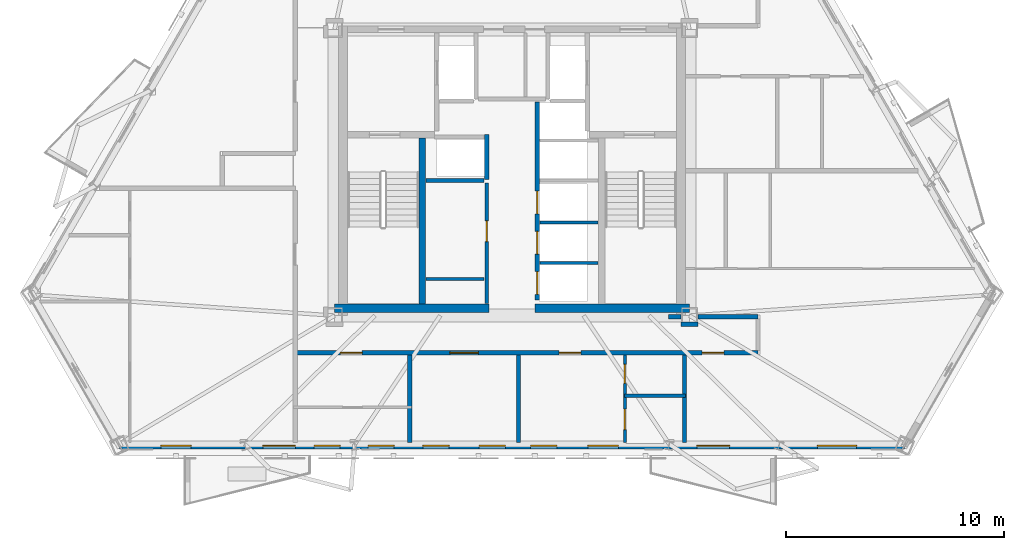
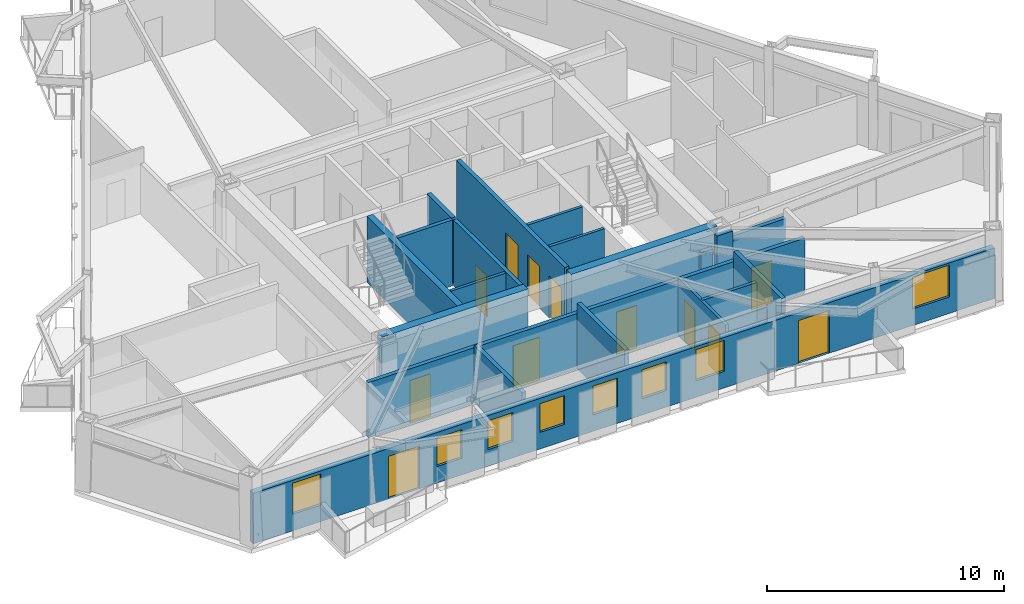
# One storey, part 4 of 10: 20 walls, 12 doors, 8 windows, 20 openings.
"""IFC4 building model written with IfcOpenShell, lengths in metres."""

from ifc_helpers import new_model, si_unit, direction, frame, frame_2d, origin, place, context, subcontext, project, spatial, rectangle, extrude, material, layer, layer_set, type_object, element, fill, save


model = new_model("IFC4")

# Units and contexts
model_context = context("Model", 3, precision=1e-05, world=origin(), true_north=direction((0.0, 1.0)))
body_context = subcontext(model_context, "Body", "Model", "MODEL_VIEW")
ifc_project = project(units=[si_unit("LENGTHUNIT", "METRE"), si_unit("AREAUNIT", "SQUARE_METRE"), si_unit("VOLUMEUNIT", "CUBIC_METRE"), si_unit("PLANEANGLEUNIT", "RADIAN"), si_unit("MASSUNIT", "GRAM", prefix="KILO")], contexts=[model_context])

# Site, building, storey
site_placement = place(None, origin())
site = spatial("IfcSite", under=ifc_project, at=site_placement, CompositionType="ELEMENT")
building_placement = place(site_placement, origin())
building = spatial("IfcBuilding", under=site, at=building_placement, Name="Oramaril Tower", CompositionType="ELEMENT")
storey_placement = place(building_placement, frame((0.0, 0.0, 181.800048828125)))
storey = spatial("IfcBuildingStorey", under=building, at=storey_placement, Name="L48", CompositionType="ELEMENT", Elevation=181.800048828125)

# Wall, openings, doors, windows
ifc_material_1 = material(Name="Warm Cream Limestone", Category="masonry")
ifc_layer_1 = layer(ifc_material_1, 0.2900390625)
ifc_layer_set_1 = layer_set([ifc_layer_1], Name="WT-EXT29")
wall_type_1 = type_object("IfcWallType", Name="WT-EXT29", PredefinedType="SOLIDWALL", material=ifc_layer_set_1)
wall_1_placement = place(storey_placement, frame((19.47314453125, 5.02880859375, 0.0), z_axis=(0.0, 0.0, 1.0), x_axis=(1.0, 0.0, 0.0)))
wall_1 = element("IfcWall", 1, at=wall_1_placement, inside=storey, type_object=wall_type_1, Name="L48 Tower Limestone Facade Wall 2M", PredefinedType="SOLIDWALL", context=body_context, shape_type="SweptSolid", body=[
    extrude(rectangle(XDim=36.0537109375, YDim=0.2900390625, at=frame_2d((18.02685546875, 0.0))), origin(), (0.0, 0.0, 1.0), 2.599853515625),
])
opening_1_placement = place(wall_1_placement, frame((6.579345703125, 0.0, 0.0)))
opening_1 = element("IfcOpeningElement", 2, at=opening_1_placement, cuts=wall_1, Name="Opening D-L48-BAL-S1", PredefinedType="OPENING", context=body_context, shape_type="SweptSolid", body=[
    extrude(rectangle(XDim=1.5, YDim=2.199951171875, at=frame_2d((0.75, 1.10009765625))), frame((0.0, 0.14501953125, 0.0), z_axis=(0.0, -1.0, 0.0), x_axis=(1.0, 0.0, 0.0)), (0.0, 0.0, 1.0), 0.2900390625),
])
opening_2_placement = place(wall_1_placement, frame((26.519287109375, 0.0, 0.0)))
opening_2 = element("IfcOpeningElement", 3, at=opening_2_placement, cuts=wall_1, Name="Opening D-L48-BAL-S2", PredefinedType="OPENING", context=body_context, shape_type="SweptSolid", body=[
    extrude(rectangle(XDim=1.5, YDim=2.199951171875, at=frame_2d((0.75, 1.10009765625))), frame((0.0, 0.14501953125, 0.0), z_axis=(0.0, -1.0, 0.0), x_axis=(1.0, 0.0, 0.0)), (0.0, 0.0, 1.0), 0.2900390625),
])
opening_3_placement = place(wall_1_placement, frame((13.936279296875, 0.0, 0.85009765625)))
opening_3 = element("IfcOpeningElement", 4, at=opening_3_placement, cuts=wall_1, Name="Opening WN-09", PredefinedType="OPENING", context=body_context, shape_type="SweptSolid", body=[
    extrude(rectangle(XDim=1.199951171875, YDim=1.47998046875, at=frame_2d((0.60009765625, 0.739990234375))), frame((0.0, 0.14501953125, 0.0), z_axis=(0.0, -1.0, 0.0), x_axis=(1.0, 0.0, 0.0)), (0.0, 0.0, 1.0), 0.2900390625),
])
opening_4_placement = place(wall_1_placement, frame((16.51708984375, 0.0, 0.85009765625)))
opening_4 = element("IfcOpeningElement", 5, at=opening_4_placement, cuts=wall_1, Name="Opening WN-09", PredefinedType="OPENING", context=body_context, shape_type="SweptSolid", body=[
    extrude(rectangle(XDim=1.199951171875, YDim=1.47998046875, at=frame_2d((0.60009765625, 0.739990234375))), frame((0.0, 0.14501953125, 0.0), z_axis=(0.0, -1.0, 0.0), x_axis=(1.0, 0.0, 0.0)), (0.0, 0.0, 1.0), 0.2900390625),
])
opening_5_placement = place(wall_1_placement, frame((8.937744140625, 0.0, 0.85009765625)))
opening_5 = element("IfcOpeningElement", 6, at=opening_5_placement, cuts=wall_1, Name="Opening WN-09", PredefinedType="OPENING", context=body_context, shape_type="SweptSolid", body=[
    extrude(rectangle(XDim=1.199951171875, YDim=1.47998046875, at=frame_2d((0.60009765625, 0.739990234375))), frame((0.0, 0.14501953125, 0.0), z_axis=(0.0, -1.0, 0.0), x_axis=(1.0, 0.0, 0.0)), (0.0, 0.0, 1.0), 0.2900390625),
])
opening_6_placement = place(wall_1_placement, frame((11.417236328125, 0.0, 0.85009765625)))
opening_6 = element("IfcOpeningElement", 7, at=opening_6_placement, cuts=wall_1, Name="Opening WN-09", PredefinedType="OPENING", context=body_context, shape_type="SweptSolid", body=[
    extrude(rectangle(XDim=1.199951171875, YDim=1.47998046875, at=frame_2d((0.60009765625, 0.739990234375))), frame((0.0, 0.14501953125, 0.0), z_axis=(0.0, -1.0, 0.0), x_axis=(1.0, 0.0, 0.0)), (0.0, 0.0, 1.0), 0.2900390625),
])
opening_7_placement = place(wall_1_placement, frame((18.88720703125, 0.0, 0.85009765625)))
opening_7 = element("IfcOpeningElement", 8, at=opening_7_placement, cuts=wall_1, Name="Opening WN-09", PredefinedType="OPENING", context=body_context, shape_type="SweptSolid", body=[
    extrude(rectangle(XDim=1.199951171875, YDim=1.47998046875, at=frame_2d((0.60009765625, 0.739990234375))), frame((0.0, 0.14501953125, 0.0), z_axis=(0.0, -1.0, 0.0), x_axis=(1.0, 0.0, 0.0)), (0.0, 0.0, 1.0), 0.2900390625),
])
opening_8_placement = place(wall_1_placement, frame((21.5126953125, 0.0, 0.85009765625)))
opening_8 = element("IfcOpeningElement", 9, at=opening_8_placement, cuts=wall_1, Name="Opening WN-08", PredefinedType="OPENING", context=body_context, shape_type="SweptSolid", body=[
    extrude(rectangle(XDim=1.39990234375, YDim=1.60009765625, at=frame_2d((0.699951171875, 0.800048828125))), frame((0.0, 0.14501953125, 0.0), z_axis=(0.0, -1.0, 0.0), x_axis=(1.0, 0.0, 0.0)), (0.0, 0.0, 1.0), 0.2900390625),
])
opening_9_placement = place(wall_1_placement, frame((1.894775390625, 0.0, 0.85009765625)))
opening_9 = element("IfcOpeningElement", 10, at=opening_9_placement, cuts=wall_1, Name="Opening WN-08", PredefinedType="OPENING", context=body_context, shape_type="SweptSolid", body=[
    extrude(rectangle(XDim=1.39990234375, YDim=1.60009765625, at=frame_2d((0.699951171875, 0.800048828125))), frame((0.0, 0.14501953125, 0.0), z_axis=(0.0, -1.0, 0.0), x_axis=(1.0, 0.0, 0.0)), (0.0, 0.0, 1.0), 0.2900390625),
])
opening_10_placement = place(wall_1_placement, frame((32.051513671875, 0.0, 0.85009765625)))
opening_10 = element("IfcOpeningElement", 11, at=opening_10_placement, cuts=wall_1, Name="Opening WN-06", PredefinedType="OPENING", context=body_context, shape_type="SweptSolid", body=[
    extrude(rectangle(XDim=1.800048828125, YDim=1.639892578125, at=frame_2d((0.89990234375, 0.81982421875))), frame((0.0, 0.14501953125, 0.0), z_axis=(0.0, -1.0, 0.0), x_axis=(1.0, 0.0, 0.0)), (0.0, 0.0, 1.0), 0.2900390625),
])
ifc_material_2 = material(Name="Anodised Aluminium 6063-T6", Category="aluminium")
door_type_1 = type_object("IfcDoorType", Name="DT-BAL", OperationType="NOTDEFINED", PredefinedType="DOOR", material=ifc_material_2)
door_1_placement = place(opening_1_placement, origin())
door_1 = element("IfcDoor", 12, at=door_1_placement, inside=storey, type_object=door_type_1, Name="L48 Balcony Glazed Door L48-BAL-S1", OperationType="SINGLE_SWING_LEFT", OverallHeight=2.199951171875, OverallWidth=1.5, PredefinedType="DOOR", context=body_context, shape_type="SweptSolid", body=[
    extrude(rectangle(XDim=1.5, YDim=2.199951171875, at=frame_2d((0.75, 1.10009765625))), frame((0.0, 0.02490234375, 0.0), z_axis=(0.0, -1.0, 0.0), x_axis=(1.0, 0.0, 0.0)), (0.0, 0.0, 1.0), 0.050048828125),
])
fill(opening_1, door_1)
door_2_placement = place(opening_2_placement, origin())
door_2 = element("IfcDoor", 13, at=door_2_placement, inside=storey, type_object=door_type_1, Name="L48 Balcony Glazed Door L48-BAL-S2", OperationType="SINGLE_SWING_RIGHT", OverallHeight=2.199951171875, OverallWidth=1.5, PredefinedType="DOOR", context=body_context, shape_type="SweptSolid", body=[
    extrude(rectangle(XDim=1.5, YDim=2.199951171875, at=frame_2d((0.75, 1.10009765625))), frame((0.0, 0.02490234375, 0.0), z_axis=(0.0, -1.0, 0.0), x_axis=(1.0, 0.0, 0.0)), (0.0, 0.0, 1.0), 0.050048828125),
])
fill(opening_2, door_2)
ifc_material_3 = material(Name="Coastal Low-E Insulated Glass", Category="glass")
window_type_1 = type_object("IfcWindowType", Name="WNT-06", PartitioningType="SINGLE_PANEL", PredefinedType="WINDOW", material=ifc_material_3)
window_1_placement = place(opening_10_placement, origin())
window_1 = element("IfcWindow", 14, at=window_1_placement, inside=storey, type_object=window_type_1, Name="L48 Chicago Bay Window WN-06", OverallHeight=1.639892578125, OverallWidth=1.800048828125, PartitioningType="SINGLE_PANEL", PredefinedType="WINDOW", context=body_context, shape_type="SweptSolid", body=[
    extrude(rectangle(XDim=1.800048828125, YDim=1.639892578125, at=frame_2d((0.89990234375, 0.81982421875))), frame((0.0, 0.030029296875, 0.0), z_axis=(0.0, -1.0, 0.0), x_axis=(1.0, 0.0, 0.0)), (0.0, 0.0, 1.0), 0.06005859375),
])
fill(opening_10, window_1)
ifc_material_4 = material(Name="Coastal Low-E Insulated Glass", Category="glass")
window_type_2 = type_object("IfcWindowType", Name="WNT-08", PartitioningType="SINGLE_PANEL", PredefinedType="WINDOW", material=ifc_material_4)
window_2_placement = place(opening_8_placement, origin())
window_2 = element("IfcWindow", 15, at=window_2_placement, inside=storey, type_object=window_type_2, Name="L48 Chicago Bay Window WN-08", OverallHeight=1.60009765625, OverallWidth=1.39990234375, PartitioningType="SINGLE_PANEL", PredefinedType="WINDOW", context=body_context, shape_type="SweptSolid", body=[
    extrude(rectangle(XDim=1.39990234375, YDim=1.60009765625, at=frame_2d((0.699951171875, 0.800048828125))), frame((0.0, 0.030029296875, 0.0), z_axis=(0.0, -1.0, 0.0), x_axis=(1.0, 0.0, 0.0)), (0.0, 0.0, 1.0), 0.06005859375),
])
fill(opening_8, window_2)
window_3_placement = place(opening_9_placement, origin())
window_3 = element("IfcWindow", 16, at=window_3_placement, inside=storey, type_object=window_type_2, Name="L48 Chicago Bay Window WN-08", OverallHeight=1.60009765625, OverallWidth=1.39990234375, PartitioningType="SINGLE_PANEL", PredefinedType="WINDOW", context=body_context, shape_type="SweptSolid", body=[
    extrude(rectangle(XDim=1.39990234375, YDim=1.60009765625, at=frame_2d((0.699951171875, 0.800048828125))), frame((0.0, 0.030029296875, 0.0), z_axis=(0.0, -1.0, 0.0), x_axis=(1.0, 0.0, 0.0)), (0.0, 0.0, 1.0), 0.06005859375),
])
fill(opening_9, window_3)
ifc_material_5 = material(Name="Coastal Low-E Insulated Glass", Category="glass")
window_type_3 = type_object("IfcWindowType", Name="WNT-09", PartitioningType="SINGLE_PANEL", PredefinedType="WINDOW", material=ifc_material_5)
window_4_placement = place(opening_3_placement, origin())
window_4 = element("IfcWindow", 17, at=window_4_placement, inside=storey, type_object=window_type_3, Name="L48 Chicago Bay Window WN-09", OverallHeight=1.47998046875, OverallWidth=1.199951171875, PartitioningType="SINGLE_PANEL", PredefinedType="WINDOW", context=body_context, shape_type="SweptSolid", body=[
    extrude(rectangle(XDim=1.199951171875, YDim=1.47998046875, at=frame_2d((0.60009765625, 0.739990234375))), frame((0.0, 0.030029296875, 0.0), z_axis=(0.0, -1.0, 0.0), x_axis=(1.0, 0.0, 0.0)), (0.0, 0.0, 1.0), 0.06005859375),
])
fill(opening_3, window_4)
window_5_placement = place(opening_4_placement, origin())
window_5 = element("IfcWindow", 18, at=window_5_placement, inside=storey, type_object=window_type_3, Name="L48 Chicago Bay Window WN-09", OverallHeight=1.47998046875, OverallWidth=1.199951171875, PartitioningType="SINGLE_PANEL", PredefinedType="WINDOW", context=body_context, shape_type="SweptSolid", body=[
    extrude(rectangle(XDim=1.199951171875, YDim=1.47998046875, at=frame_2d((0.60009765625, 0.739990234375))), frame((0.0, 0.030029296875, 0.0), z_axis=(0.0, -1.0, 0.0), x_axis=(1.0, 0.0, 0.0)), (0.0, 0.0, 1.0), 0.06005859375),
])
fill(opening_4, window_5)
window_6_placement = place(opening_5_placement, origin())
window_6 = element("IfcWindow", 19, at=window_6_placement, inside=storey, type_object=window_type_3, Name="L48 Chicago Bay Window WN-09", OverallHeight=1.47998046875, OverallWidth=1.199951171875, PartitioningType="SINGLE_PANEL", PredefinedType="WINDOW", context=body_context, shape_type="SweptSolid", body=[
    extrude(rectangle(XDim=1.199951171875, YDim=1.47998046875, at=frame_2d((0.60009765625, 0.739990234375))), frame((0.0, 0.030029296875, 0.0), z_axis=(0.0, -1.0, 0.0), x_axis=(1.0, 0.0, 0.0)), (0.0, 0.0, 1.0), 0.06005859375),
])
fill(opening_5, window_6)
window_7_placement = place(opening_6_placement, origin())
window_7 = element("IfcWindow", 20, at=window_7_placement, inside=storey, type_object=window_type_3, Name="L48 Chicago Bay Window WN-09", OverallHeight=1.47998046875, OverallWidth=1.199951171875, PartitioningType="SINGLE_PANEL", PredefinedType="WINDOW", context=body_context, shape_type="SweptSolid", body=[
    extrude(rectangle(XDim=1.199951171875, YDim=1.47998046875, at=frame_2d((0.60009765625, 0.739990234375))), frame((0.0, 0.030029296875, 0.0), z_axis=(0.0, -1.0, 0.0), x_axis=(1.0, 0.0, 0.0)), (0.0, 0.0, 1.0), 0.06005859375),
])
fill(opening_6, window_7)
window_8_placement = place(opening_7_placement, origin())
window_8 = element("IfcWindow", 21, at=window_8_placement, inside=storey, type_object=window_type_3, Name="L48 Chicago Bay Window WN-09", OverallHeight=1.47998046875, OverallWidth=1.199951171875, PartitioningType="SINGLE_PANEL", PredefinedType="WINDOW", context=body_context, shape_type="SweptSolid", body=[
    extrude(rectangle(XDim=1.199951171875, YDim=1.47998046875, at=frame_2d((0.60009765625, 0.739990234375))), frame((0.0, 0.030029296875, 0.0), z_axis=(0.0, -1.0, 0.0), x_axis=(1.0, 0.0, 0.0)), (0.0, 0.0, 1.0), 0.06005859375),
])
fill(opening_7, window_8)

# Walls
ifc_material_6 = material(Name="Acoustic Gypsum Board Partition")
ifc_layer_2 = layer(ifc_material_6, 0.139892578125)
ifc_layer_set_2 = layer_set([ifc_layer_2], Name="WT-PT14")
wall_type_2 = type_object("IfcWallType", Name="WT-PT14", PredefinedType="PARTITIONING", material=ifc_layer_set_2)
for number, where, z_axis, x_axis, name in (
    (22, (33.56005859375, 12.679931640625, 0.0), (0.0, 0.0, 1.0), (1.0, 0.0, 0.0), "L48 Freed Shaft South Closure"),
    (23, (38.780029296875, 13.419921875, 0.0), (0.0, 0.0, 1.0), (1.0, 0.0, 0.0), "L48 East Lift Divider"),
    (24, (38.780029296875, 15.27001953125, 0.0), (0.0, 0.0, 1.0), (1.0, 0.0, 0.0), "L48 East Lift Divider"),
):
    element("IfcWall", number, at=place(storey_placement, frame(where, z_axis=z_axis, x_axis=x_axis)), inside=storey, type_object=wall_type_2, Name=name, PredefinedType="PARTITIONING", context=body_context, shape_type="SweptSolid", body=[
        extrude(rectangle(XDim=2.659912109375, YDim=0.139892578125, at=frame_2d((1.330078125, 0.0))), origin(), (0.0, 0.0, 1.0), 3.3798828125),
    ])

# Wall, openings, doors
wall_2_placement = place(storey_placement, frame((42.679931640625, 5.177978515625, 0.0), z_axis=(0.0, 0.0, 1.0), x_axis=(0.0, 1.0, 0.0)))
wall_2 = element("IfcWall", 25, at=wall_2_placement, inside=storey, type_object=wall_type_2, Name="L48 Interior Partition PT-14", PredefinedType="PARTITIONING", context=body_context, shape_type="SweptSolid", body=[
    extrude(rectangle(XDim=4.01806640625, YDim=0.139892578125, at=frame_2d((2.009033203125, 0.0))), origin(), (0.0, 0.0, 1.0), 2.966064453125),
])
opening_11_placement = place(wall_2_placement, frame((0.5830078125, 0.0, 0.0)))
opening_11 = element("IfcOpeningElement", 26, at=opening_11_placement, cuts=wall_2, Name="Opening D-L48-23", PredefinedType="OPENING", context=body_context, shape_type="SweptSolid", body=[
    extrude(rectangle(XDim=0.949951171875, YDim=2.10009765625, at=frame_2d((0.47509765625, 1.050048828125))), frame((0.0, 0.06982421875, 0.0), z_axis=(0.0, -1.0, 0.0), x_axis=(1.0, 0.0, 0.0)), (0.0, 0.0, 1.0), 0.139892578125),
])
opening_12_placement = place(wall_2_placement, frame((2.708740234375, 0.0, 0.0)))
opening_12 = element("IfcOpeningElement", 27, at=opening_12_placement, cuts=wall_2, Name="Opening D-L48-24", PredefinedType="OPENING", context=body_context, shape_type="SweptSolid", body=[
    extrude(rectangle(XDim=0.8798828125, YDim=2.080078125, at=frame_2d((0.43994140625, 1.0400390625))), frame((0.0, 0.06982421875, 0.0), z_axis=(0.0, -1.0, 0.0), x_axis=(1.0, 0.0, 0.0)), (0.0, 0.0, 1.0), 0.139892578125),
])
ifc_material_7 = material(Name="FSC Brazilian Freijo Hardwood", Category="wood")
door_type_2 = type_object("IfcDoorType", Name="DT-BATH", OperationType="NOTDEFINED", PredefinedType="DOOR", material=ifc_material_7)
door_3_placement = place(opening_12_placement, origin())
door_3 = element("IfcDoor", 28, at=door_3_placement, inside=storey, type_object=door_type_2, Name="L48 Flat L48-U2 Bathroom Door D-L48-24", OperationType="SINGLE_SWING_LEFT", OverallHeight=2.080078125, OverallWidth=0.8798828125, PredefinedType="DOOR", context=body_context, shape_type="SweptSolid", body=[
    extrude(rectangle(XDim=0.8798828125, YDim=2.080078125, at=frame_2d((0.43994140625, 1.0400390625))), frame((0.0, 0.02490234375, 0.0), z_axis=(0.0, -1.0, 0.0), x_axis=(1.0, 0.0, 0.0)), (0.0, 0.0, 1.0), 0.050048828125),
])
fill(opening_12, door_3)
ifc_material_8 = material(Name="FSC Brazilian Freijo Hardwood", Category="wood")
door_type_3 = type_object("IfcDoorType", Name="DT-STDY", OperationType="NOTDEFINED", PredefinedType="DOOR", material=ifc_material_8)
door_4_placement = place(opening_11_placement, origin())
door_4 = element("IfcDoor", 29, at=door_4_placement, inside=storey, type_object=door_type_3, Name="L48 Flat L48-U2 Kitchen Door D-L48-23", OperationType="SINGLE_SWING_RIGHT", OverallHeight=2.10009765625, OverallWidth=0.949951171875, PredefinedType="DOOR", context=body_context, shape_type="SweptSolid", body=[
    extrude(rectangle(XDim=0.949951171875, YDim=2.10009765625, at=frame_2d((0.47509765625, 1.050048828125))), frame((0.0, 0.02490234375, 0.0), z_axis=(0.0, -1.0, 0.0), x_axis=(1.0, 0.0, 0.0)), (0.0, 0.0, 1.0), 0.050048828125),
])
fill(opening_11, door_4)

# Walls
ifc_material_9 = material(Name="Acoustic Gypsum Board Partition")
ifc_layer_3 = layer(ifc_material_9, 0.159912109375)
ifc_layer_set_3 = layer_set([ifc_layer_3], Name="WT-PT16")
wall_type_3 = type_object("IfcWallType", Name="WT-PT16", PredefinedType="PARTITIONING", material=ifc_layer_set_3)
wall_3_placement = place(storey_placement, frame((42.6767578125, 7.320068359375, 0.0), z_axis=(0.0, 0.0, 1.0), x_axis=(1.0, 0.0, 0.0)))
element("IfcWall", 30, at=wall_3_placement, inside=storey, type_object=wall_type_3, Name="L48 Interior Partition PT-16", PredefinedType="PARTITIONING", context=body_context, shape_type="SweptSolid", body=[
    extrude(rectangle(XDim=2.793212890625, YDim=0.159912109375, at=frame_2d((1.396484375, 0.0))), origin(), (0.0, 0.0, 1.0), 2.966064453125),
])
ifc_material_10 = material(Name="Autoclaved Cellular Concrete Block", Category="concrete")
ifc_layer_4 = layer(ifc_material_10, 0.179931640625)
ifc_layer_set_4 = layer_set([ifc_layer_4], Name="WT-PT18")
wall_type_4 = type_object("IfcWallType", Name="WT-PT18", PredefinedType="PARTITIONING", material=ifc_layer_set_4)
wall_4_placement = place(storey_placement, frame((33.56005859375, 17.199951171875, 0.0), z_axis=(0.0, 0.0, 1.0), x_axis=(1.0, 0.0, 0.0)))
element("IfcWall", 31, at=wall_4_placement, inside=storey, type_object=wall_type_4, Name="L48 High-Rise Lift H1 South Wall", PredefinedType="PARTITIONING", context=body_context, shape_type="SweptSolid", body=[
    extrude(rectangle(XDim=2.659912109375, YDim=0.179931640625, at=frame_2d((1.330078125, 0.0))), origin(), (0.0, 0.0, 1.0), 3.3798828125),
])

# Wall, opening, door
wall_5_placement = place(storey_placement, frame((36.340087890625, 11.550048828125, 0.0), z_axis=(0.0, 0.0, 1.0), x_axis=(0.0, 1.0, 0.0)))
wall_5 = element("IfcWall", 32, at=wall_5_placement, inside=storey, type_object=wall_type_4, Name="L48 Freed Shaft Study East Wall", PredefinedType="PARTITIONING", context=body_context, shape_type="SweptSolid", body=[
    extrude(rectangle(XDim=5.550048828125, YDim=0.179931640625, at=frame_2d((2.77490234375, 0.0))), origin(), (0.0, 0.0, 1.0), 3.3798828125),
])
opening_13_placement = place(wall_5_placement, frame((2.85009765625, 0.0, 0.0)))
opening_13 = element("IfcOpeningElement", 33, at=opening_13_placement, cuts=wall_5, Name="Opening D-L48-FL1", PredefinedType="OPENING", context=body_context, shape_type="SweptSolid", body=[
    extrude(rectangle(XDim=0.949951171875, YDim=2.10009765625, at=frame_2d((0.47509765625, 1.050048828125))), frame((0.0, 0.08984375, 0.0), z_axis=(0.0, -1.0, 0.0), x_axis=(1.0, 0.0, 0.0)), (0.0, 0.0, 1.0), 0.179931640625),
])
door_5_placement = place(opening_13_placement, origin())
door_5 = element("IfcDoor", 34, at=door_5_placement, inside=storey, type_object=door_type_3, Name="L48 L48 Residents Library Study Door", OperationType="SINGLE_SWING_LEFT", OverallHeight=2.10009765625, OverallWidth=0.949951171875, PredefinedType="DOOR", context=body_context, shape_type="SweptSolid", body=[
    extrude(rectangle(XDim=0.949951171875, YDim=2.10009765625, at=frame_2d((0.47509765625, 1.050048828125))), frame((0.0, 0.02490234375, 0.0), z_axis=(0.0, -1.0, 0.0), x_axis=(1.0, 0.0, 0.0)), (0.0, 0.0, 1.0), 0.050048828125),
])
fill(opening_13, door_5)

# Wall, openings, doors
ifc_material_11 = material(Name="Autoclaved Cellular Concrete Block", Category="concrete")
ifc_layer_5 = layer(ifc_material_11, 0.199951171875)
ifc_layer_set_5 = layer_set([ifc_layer_5], Name="WT-PT20")
wall_type_5 = type_object("IfcWallType", Name="WT-PT20", PredefinedType="PARTITIONING", material=ifc_layer_set_5)
wall_6_placement = place(storey_placement, frame((27.550048828125, 9.300048828125, 0.0), z_axis=(0.0, 0.0, 1.0), x_axis=(1.0, 0.0, 0.0)))
wall_6 = element("IfcWall", 35, at=wall_6_placement, inside=storey, type_object=wall_type_5, Name="L48 Interior Partition PT-20", PredefinedType="PARTITIONING", context=body_context, shape_type="SweptSolid", body=[
    extrude(rectangle(XDim=21.25, YDim=0.199951171875, at=frame_2d((10.625, 0.0))), origin(), (0.0, 0.0, 1.0), 2.842041015625),
])
opening_14_placement = place(wall_6_placement, frame((2.07177734375, 0.0, 0.0)))
opening_14 = element("IfcOpeningElement", 36, at=opening_14_placement, cuts=wall_6, Name="Opening D-L48-02", PredefinedType="OPENING", context=body_context, shape_type="SweptSolid", body=[
    extrude(rectangle(XDim=1.0, YDim=2.179931640625, at=frame_2d((0.5, 1.08984375))), frame((0.0, 0.10009765625, 0.0), z_axis=(0.0, -1.0, 0.0), x_axis=(1.0, 0.0, 0.0)), (0.0, 0.0, 1.0), 0.199951171875),
])
opening_15_placement = place(wall_6_placement, frame((7.10009765625, 0.0, 0.0)))
opening_15 = element("IfcOpeningElement", 37, at=opening_15_placement, cuts=wall_6, Name="Opening D-L48-03", PredefinedType="OPENING", context=body_context, shape_type="SweptSolid", body=[
    extrude(rectangle(XDim=1.300048828125, YDim=2.199951171875, at=frame_2d((0.64990234375, 1.10009765625))), frame((0.0, 0.10009765625, 0.0), z_axis=(0.0, -1.0, 0.0), x_axis=(1.0, 0.0, 0.0)), (0.0, 0.0, 1.0), 0.199951171875),
])
opening_16_placement = place(wall_6_placement, frame((12.11474609375, 0.0, 0.0)))
opening_16 = element("IfcOpeningElement", 38, at=opening_16_placement, cuts=wall_6, Name="Opening D-L48-04", PredefinedType="OPENING", context=body_context, shape_type="SweptSolid", body=[
    extrude(rectangle(XDim=1.0, YDim=2.179931640625, at=frame_2d((0.5, 1.08984375))), frame((0.0, 0.10009765625, 0.0), z_axis=(0.0, -1.0, 0.0), x_axis=(1.0, 0.0, 0.0)), (0.0, 0.0, 1.0), 0.199951171875),
])
opening_17_placement = place(wall_6_placement, frame((18.681884765625, 0.0, 0.0)))
opening_17 = element("IfcOpeningElement", 39, at=opening_17_placement, cuts=wall_6, Name="Opening D-L48-05", PredefinedType="OPENING", context=body_context, shape_type="SweptSolid", body=[
    extrude(rectangle(XDim=1.0, YDim=2.179931640625, at=frame_2d((0.5, 1.08984375))), frame((0.0, 0.10009765625, 0.0), z_axis=(0.0, -1.0, 0.0), x_axis=(1.0, 0.0, 0.0)), (0.0, 0.0, 1.0), 0.199951171875),
])
ifc_material_12 = material(Name="FSC Brazilian Freijo Hardwood", Category="wood")
door_type_4 = type_object("IfcDoorType", Name="DT-APT", OperationType="NOTDEFINED", PredefinedType="DOOR", material=ifc_material_12)
door_6_placement = place(opening_14_placement, origin())
door_6 = element("IfcDoor", 40, at=door_6_placement, inside=storey, type_object=door_type_4, Name="L48 Flat L48-U1 Kitchen and Studio Apartment Door D-L48-02", OperationType="SINGLE_SWING_LEFT", OverallHeight=2.179931640625, OverallWidth=1.0, PredefinedType="DOOR", context=body_context, shape_type="SweptSolid", body=[
    extrude(rectangle(XDim=1.0, YDim=2.179931640625, at=frame_2d((0.5, 1.08984375))), frame((0.0, 0.02490234375, 0.0), z_axis=(0.0, -1.0, 0.0), x_axis=(1.0, 0.0, 0.0)), (0.0, 0.0, 1.0), 0.050048828125),
])
fill(opening_14, door_6)
door_7_placement = place(opening_16_placement, origin())
door_7 = element("IfcDoor", 41, at=door_7_placement, inside=storey, type_object=door_type_4, Name="L48 Flat L48-U2 Studio Apartment Door D-L48-04", OperationType="SINGLE_SWING_LEFT", OverallHeight=2.179931640625, OverallWidth=1.0, PredefinedType="DOOR", context=body_context, shape_type="SweptSolid", body=[
    extrude(rectangle(XDim=1.0, YDim=2.179931640625, at=frame_2d((0.5, 1.08984375))), frame((0.0, 0.02490234375, 0.0), z_axis=(0.0, -1.0, 0.0), x_axis=(1.0, 0.0, 0.0)), (0.0, 0.0, 1.0), 0.050048828125),
])
fill(opening_16, door_7)
door_8_placement = place(opening_17_placement, origin())
door_8 = element("IfcDoor", 42, at=door_8_placement, inside=storey, type_object=door_type_4, Name="L48 Flat L48-U5 Penthouse Living and Dining Room Door D-L48-05", OperationType="SINGLE_SWING_RIGHT", OverallHeight=2.179931640625, OverallWidth=1.0, PredefinedType="DOOR", context=body_context, shape_type="SweptSolid", body=[
    extrude(rectangle(XDim=1.0, YDim=2.179931640625, at=frame_2d((0.5, 1.08984375))), frame((0.0, 0.02490234375, 0.0), z_axis=(0.0, -1.0, 0.0), x_axis=(1.0, 0.0, 0.0)), (0.0, 0.0, 1.0), 0.050048828125),
])
fill(opening_17, door_8)
ifc_material_13 = material(Name="FSC Brazilian Freijo Hardwood", Category="wood")
door_type_5 = type_object("IfcDoorType", Name="DT-COM", OperationType="NOTDEFINED", PredefinedType="DOOR", material=ifc_material_13)
door_9_placement = place(opening_15_placement, origin())
door_9 = element("IfcDoor", 43, at=door_9_placement, inside=storey, type_object=door_type_5, Name="L48 L48 Floor Co-Working Office Suite Door D-L48-03", OperationType="SINGLE_SWING_RIGHT", OverallHeight=2.199951171875, OverallWidth=1.300048828125, PredefinedType="DOOR", context=body_context, shape_type="SweptSolid", body=[
    extrude(rectangle(XDim=1.300048828125, YDim=2.199951171875, at=frame_2d((0.64990234375, 1.10009765625))), frame((0.0, 0.02490234375, 0.0), z_axis=(0.0, -1.0, 0.0), x_axis=(1.0, 0.0, 0.0)), (0.0, 0.0, 1.0), 0.050048828125),
])
fill(opening_15, door_9)

# Walls
wall_7_placement = place(storey_placement, frame((45.260009765625, 10.610107421875, 0.0), z_axis=(0.0, 0.0, 1.0), x_axis=(1.0, 0.0, 0.0)))
element("IfcWall", 44, at=wall_7_placement, inside=storey, type_object=wall_type_5, Name="L48 Interior Partition PT-20", PredefinedType="PARTITIONING", context=body_context, shape_type="SweptSolid", body=[
    extrude(rectangle(XDim=0.780029296875, YDim=0.199951171875, at=frame_2d((0.39013671875, 0.0))), origin(), (0.0, 0.0, 1.0), 3.3798828125),
])
wall_8_placement = place(storey_placement, frame((44.695068359375, 10.949951171875, 0.0), z_axis=(0.0, 0.0, 1.0), x_axis=(1.0, 0.0, 0.0)))
element("IfcWall", 45, at=wall_8_placement, inside=storey, type_object=wall_type_5, Name="L48 Interior Partition PT-20", PredefinedType="PARTITIONING", context=body_context, shape_type="SweptSolid", body=[
    extrude(rectangle(XDim=0.56494140625, YDim=0.199951171875, at=frame_2d((0.282470703125, 0.0))), origin(), (0.0, 0.0, 1.0), 2.52001953125),
])
wall_9_placement = place(storey_placement, frame((46.0400390625, 10.949951171875, 0.0), z_axis=(0.0, 0.0, 1.0), x_axis=(1.0, 0.0, 0.0)))
element("IfcWall", 46, at=wall_9_placement, inside=storey, type_object=wall_type_5, Name="L48 Interior Partition PT-20", PredefinedType="PARTITIONING", context=body_context, shape_type="SweptSolid", body=[
    extrude(rectangle(XDim=2.760009765625, YDim=0.199951171875, at=frame_2d((1.3798828125, 0.0))), origin(), (0.0, 0.0, 1.0), 2.842041015625),
])
wall_10_placement = place(storey_placement, frame((32.800048828125, 5.177978515625, 0.0), z_axis=(0.0, 0.0, 1.0), x_axis=(0.0, 1.0, 0.0)))
element("IfcWall", 47, at=wall_10_placement, inside=storey, type_object=wall_type_5, Name="L48 Interior Partition PT-20", PredefinedType="PARTITIONING", context=body_context, shape_type="SweptSolid", body=[
    extrude(rectangle(XDim=4.01806640625, YDim=0.199951171875, at=frame_2d((2.009033203125, 0.0))), origin(), (0.0, 0.0, 1.0), 2.966064453125),
])
for number, where, z_axis, x_axis, name in (
    (48, (37.800048828125, 5.177978515625, 0.0), (0.0, 0.0, 1.0), (0.0, 1.0, 0.0), "L48 Interior Partition PT-20"),
    (49, (45.419921875, 5.177978515625, 0.0), (0.0, 0.0, 1.0), (0.0, 1.0, 0.0), "L48 Interior Partition PT-20"),
):
    element("IfcWall", number, at=place(storey_placement, frame(where, z_axis=z_axis, x_axis=x_axis)), inside=storey, type_object=wall_type_5, Name=name, PredefinedType="PARTITIONING", context=body_context, shape_type="SweptSolid", body=[
        extrude(rectangle(XDim=4.01806640625, YDim=0.199951171875, at=frame_2d((2.009033203125, 0.0))), origin(), (0.0, 0.0, 1.0), 3.3798828125),
    ])
ifc_material_14 = material(Name="Concrete C50/60", Category="concrete")
ifc_layer_6 = layer(ifc_material_14, 0.300048828125)
ifc_layer_set_6 = layer_set([ifc_layer_6], Name="WT-SH30")
wall_type_6 = type_object("IfcWallType", Name="WT-SH30", PredefinedType="SHEAR", material=ifc_layer_set_6)
wall_11_placement = place(storey_placement, frame((33.3798828125, 11.5400390625, 0.0), z_axis=(0.0, 0.0, 1.0), x_axis=(0.0, 1.0, 0.0)))
element("IfcWall", 50, at=wall_11_placement, inside=storey, type_object=wall_type_6, Name="L48 Core Shear Wall CW-ST1E", PredefinedType="SHEAR", context=body_context, shape_type="SweptSolid", body=[
    extrude(rectangle(XDim=7.619873046875, YDim=0.300048828125, at=frame_2d((3.81005859375, 0.0))), origin(), (0.0, 0.0, 1.0), 3.3798828125),
])
ifc_material_15 = material(Name="Concrete C50/60", Category="concrete")
ifc_layer_7 = layer(ifc_material_15, 0.39990234375)
ifc_layer_set_7 = layer_set([ifc_layer_7], Name="WT-SH40")
wall_type_7 = type_object("IfcWallType", Name="WT-SH40", PredefinedType="SHEAR", material=ifc_layer_set_7)
for number, where, z_axis, x_axis, name in (
    (51, (29.35009765625, 11.340087890625, 0.0), (0.0, 0.0, 1.0), (1.0, 0.0, 0.0), "L48 Core Shear Wall CW-SW"),
    (52, (38.550048828125, 11.340087890625, 0.0), (0.0, 0.0, 1.0), (1.0, 0.0, 0.0), "L48 Core Shear Wall CW-SE"),
):
    element("IfcWall", number, at=place(storey_placement, frame(where, z_axis=z_axis, x_axis=x_axis)), inside=storey, type_object=wall_type_7, Name=name, PredefinedType="SHEAR", context=body_context, shape_type="SweptSolid", body=[
        extrude(rectangle(XDim=7.099853515625, YDim=0.39990234375, at=frame_2d((3.5498046875, 0.0))), origin(), (0.0, 0.0, 1.0), 3.3798828125),
    ])
ifc_material_16 = material(Name="Autoclaved Cellular Concrete Block", Category="concrete")
ifc_layer_8 = layer(ifc_material_16, 0.199951171875)
ifc_layer_set_8 = layer_set([ifc_layer_8], Name="WT-SHF20")
wall_type_8 = type_object("IfcWallType", Name="WT-SHF20", PredefinedType="PARTITIONING", material=ifc_layer_set_8)
wall_12_placement = place(storey_placement, frame((36.340087890625, 17.25, 0.0), z_axis=(0.0, 0.0, 1.0), x_axis=(0.0, 1.0, 0.0)))
element("IfcWall", 53, at=wall_12_placement, inside=storey, type_object=wall_type_8, Name="L48 High-Rise Lift H1 Front Wall", PredefinedType="PARTITIONING", context=body_context, shape_type="SweptSolid", body=[
    extrude(rectangle(XDim=2.070068359375, YDim=0.199951171875, at=frame_2d((1.03515625, 0.0))), origin(), (0.0, 0.0, 1.0), 3.3798828125),
])

# Wall, openings, doors
wall_13_placement = place(storey_placement, frame((38.659912109375, 11.719970703125, 0.0), z_axis=(0.0, 0.0, 1.0), x_axis=(0.0, 1.0, 0.0)))
wall_13 = element("IfcWall", 54, at=wall_13_placement, inside=storey, type_object=wall_type_8, Name="L48 East Lift Bank Front Wall", PredefinedType="PARTITIONING", context=body_context, shape_type="SweptSolid", body=[
    extrude(rectangle(XDim=9.10009765625, YDim=0.199951171875, at=frame_2d((4.550048828125, 0.0))), origin(), (0.0, 0.0, 1.0), 3.3798828125),
])
opening_18_placement = place(wall_13_placement, frame((0.2548828125, 0.0, 0.0)))
opening_18 = element("IfcOpeningElement", 55, at=opening_18_placement, cuts=wall_13, Name="Opening LD-L48-LP-M1", PredefinedType="OPENING", context=body_context, shape_type="SweptSolid", body=[
    extrude(rectangle(XDim=1.050048828125, YDim=2.14990234375, at=frame_2d((0.52490234375, 1.074951171875))), frame((0.0, 0.10009765625, 0.0), z_axis=(0.0, -1.0, 0.0), x_axis=(1.0, 0.0, 0.0)), (0.0, 0.0, 1.0), 0.199951171875),
])
opening_19_placement = place(wall_13_placement, frame((2.10498046875, 0.0, 0.0)))
opening_19 = element("IfcOpeningElement", 56, at=opening_19_placement, cuts=wall_13, Name="Opening LD-L48-LP-M2", PredefinedType="OPENING", context=body_context, shape_type="SweptSolid", body=[
    extrude(rectangle(XDim=1.050048828125, YDim=2.14990234375, at=frame_2d((0.52490234375, 1.074951171875))), frame((0.0, 0.10009765625, 0.0), z_axis=(0.0, -1.0, 0.0), x_axis=(1.0, 0.0, 0.0)), (0.0, 0.0, 1.0), 0.199951171875),
])
opening_20_placement = place(wall_13_placement, frame((3.955078125, 0.0, 0.0)))
opening_20 = element("IfcOpeningElement", 57, at=opening_20_placement, cuts=wall_13, Name="Opening LD-L48-LP-M3", PredefinedType="OPENING", context=body_context, shape_type="SweptSolid", body=[
    extrude(rectangle(XDim=1.050048828125, YDim=2.14990234375, at=frame_2d((0.52490234375, 1.074951171875))), frame((0.0, 0.10009765625, 0.0), z_axis=(0.0, -1.0, 0.0), x_axis=(1.0, 0.0, 0.0)), (0.0, 0.0, 1.0), 0.199951171875),
])
ifc_material_17 = material(Name="Stainless Steel 316L", Category="steel")
door_type_6 = type_object("IfcDoorType", Name="DT-LD2", OperationType="NOTDEFINED", PredefinedType="DOOR", material=ifc_material_17)
door_10_placement = place(opening_18_placement, origin())
door_10 = element("IfcDoor", 58, at=door_10_placement, inside=storey, type_object=door_type_6, Name="L48 Lift LP-M1 Sliding Landing Door", OperationType="SLIDING_TO_RIGHT", OverallHeight=2.14990234375, OverallWidth=1.050048828125, PredefinedType="DOOR", context=body_context, shape_type="SweptSolid", body=[
    extrude(rectangle(XDim=1.050048828125, YDim=2.14990234375, at=frame_2d((0.52490234375, 1.074951171875))), frame((0.0, 0.02490234375, 0.0), z_axis=(0.0, -1.0, 0.0), x_axis=(1.0, 0.0, 0.0)), (0.0, 0.0, 1.0), 0.050048828125),
])
fill(opening_18, door_10)
door_11_placement = place(opening_19_placement, origin())
door_11 = element("IfcDoor", 59, at=door_11_placement, inside=storey, type_object=door_type_6, Name="L48 Lift LP-M2 Sliding Landing Door", OperationType="SLIDING_TO_LEFT", OverallHeight=2.14990234375, OverallWidth=1.050048828125, PredefinedType="DOOR", context=body_context, shape_type="SweptSolid", body=[
    extrude(rectangle(XDim=1.050048828125, YDim=2.14990234375, at=frame_2d((0.52490234375, 1.074951171875))), frame((0.0, 0.02490234375, 0.0), z_axis=(0.0, -1.0, 0.0), x_axis=(1.0, 0.0, 0.0)), (0.0, 0.0, 1.0), 0.050048828125),
])
fill(opening_19, door_11)
door_12_placement = place(opening_20_placement, origin())
door_12 = element("IfcDoor", 60, at=door_12_placement, inside=storey, type_object=door_type_6, Name="L48 Lift LP-M3 Sliding Landing Door", OperationType="SLIDING_TO_RIGHT", OverallHeight=2.14990234375, OverallWidth=1.050048828125, PredefinedType="DOOR", context=body_context, shape_type="SweptSolid", body=[
    extrude(rectangle(XDim=1.050048828125, YDim=2.14990234375, at=frame_2d((0.52490234375, 1.074951171875))), frame((0.0, 0.02490234375, 0.0), z_axis=(0.0, -1.0, 0.0), x_axis=(1.0, 0.0, 0.0)), (0.0, 0.0, 1.0), 0.050048828125),
])
fill(opening_20, door_12)

save(model, "model.ifc")
